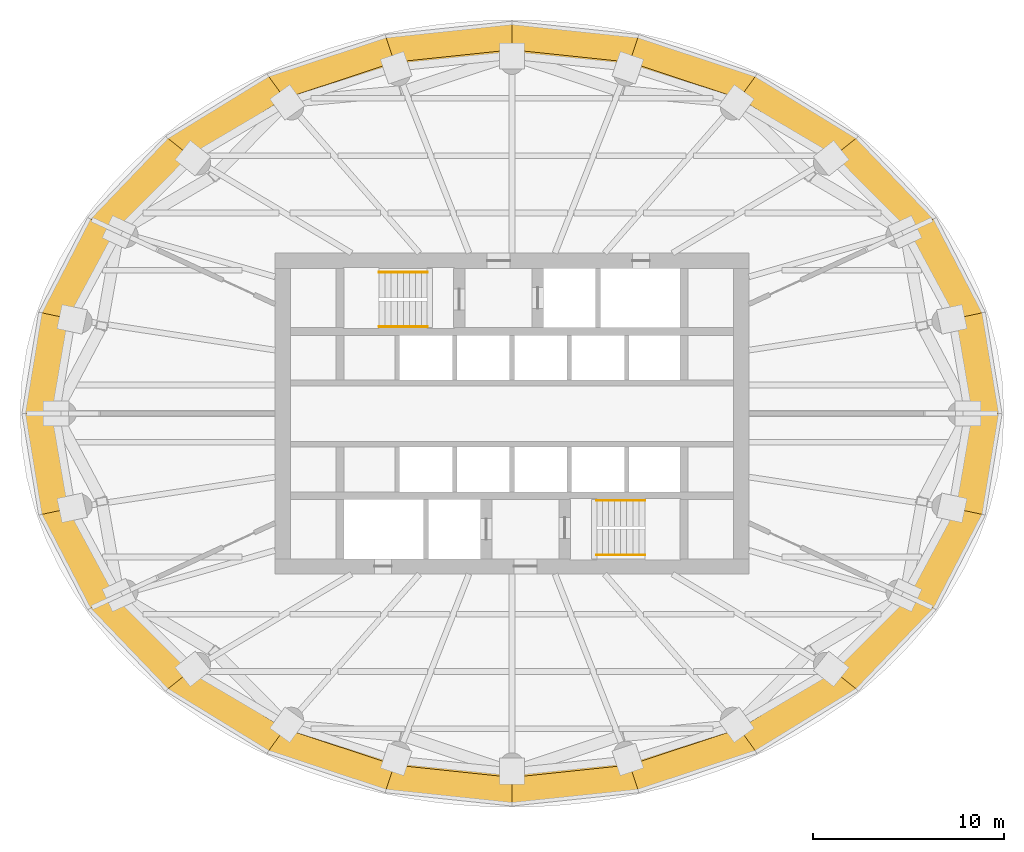
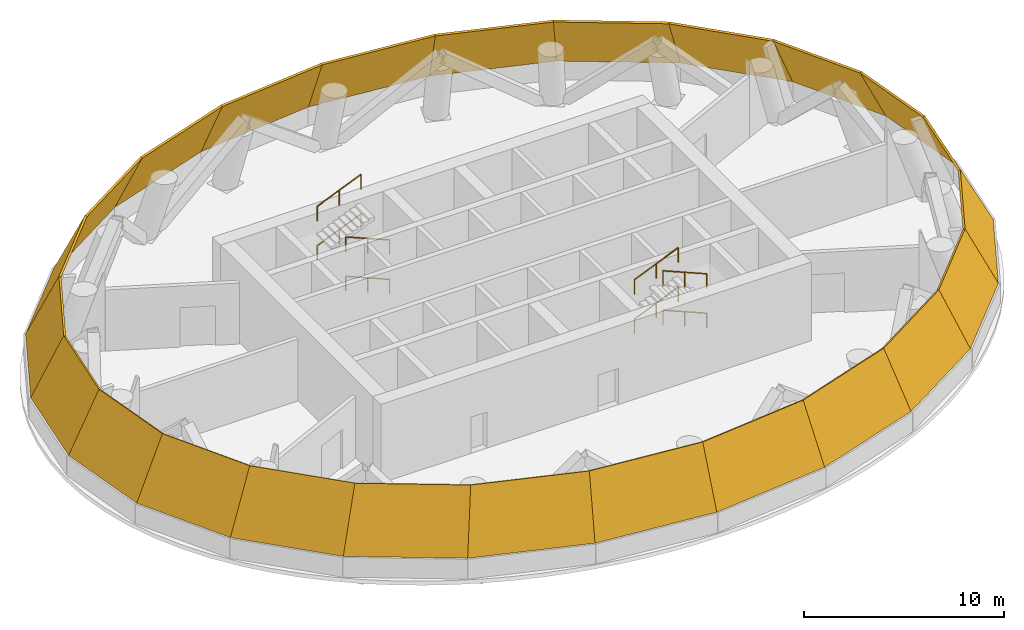
# One storey, part 7 of 7: 24 shading devices, 8 railings.
"""IFC4 building model written with IfcOpenShell, lengths in metres."""

from ifc_helpers import new_model, si_unit, direction, frame, origin, origin_2d, place, context, subcontext, project, spatial, polyline, circle, outline, extrude, material, layer, layer_set, type_object, element, save


model = new_model("IFC4")

# Units and contexts
model_context = context("Model", 3, precision=1e-05, world=origin(), true_north=direction((0.0, 1.0)))
body_context = subcontext(model_context, "Body", "Model", "MODEL_VIEW")
ifc_project = project(units=[si_unit("LENGTHUNIT", "METRE"), si_unit("AREAUNIT", "SQUARE_METRE"), si_unit("VOLUMEUNIT", "CUBIC_METRE"), si_unit("PLANEANGLEUNIT", "RADIAN"), si_unit("MASSUNIT", "GRAM", prefix="KILO")], contexts=[model_context])

# Site, building, storey
site_placement = place(None, origin())
site = spatial("IfcSite", under=ifc_project, at=site_placement, CompositionType="ELEMENT")
building_placement = place(site_placement, origin())
building = spatial("IfcBuilding", under=site, at=building_placement, Name="Hankou Lantern Tower", CompositionType="ELEMENT")
storey_placement = place(building_placement, frame((0.0, 0.0, 138.60009765625)))
storey = spatial("IfcBuildingStorey", under=building, at=storey_placement, Name="L36", CompositionType="ELEMENT", Elevation=138.60009765625)

# Railings
ifc_material_1 = material(Name="Steel handrail", Category="steel")
railing_type = type_object("IfcRailingType", Name="HR1 STAIR HANDRAIL", PredefinedType="HANDRAIL", material=ifc_material_1)
railing_1_placement = place(storey_placement, frame((-4.429931640625, 4.550048828125, 0.89990234375)))
element("IfcRailing", 1, at=railing_1_placement, inside=storey, type_object=railing_type, Name="Handrail stair STA L36 flight 1", PredefinedType="HANDRAIL", context=body_context, shape_type="SweptSolid", body=[
    extrude(circle(Radius=0.02392578125, at=origin_2d()), frame((0.0, 0.0, 0.8759765625), z_axis=(-0.920903207994, 0.0, 0.389791330723), x_axis=(0.0, -1.0, 0.0)), (0.0, 0.0, 1.0), 2.736572265625),
    extrude(circle(Radius=0.02099609375, at=origin_2d()), origin(), (0.0, 0.0, 1.0), 0.851806640625),
    extrude(circle(Radius=0.02099609375, at=origin_2d()), frame((-1.260009765625, 0.0, 0.533203125)), (0.0, 0.0, 1.0), 0.851806640625),
    extrude(circle(Radius=0.02099609375, at=origin_2d()), frame((-2.52001953125, 0.0, 1.066650390625)), (0.0, 0.0, 1.0), 0.851806640625),
])
railing_2_placement = place(storey_placement, frame((-6.949951171875, 7.39990234375, 2.099853515625)))
element("IfcRailing", 2, at=railing_2_placement, inside=storey, type_object=railing_type, Name="Handrail stair STA L36 flight 2", PredefinedType="HANDRAIL", context=body_context, shape_type="SweptSolid", body=[
    extrude(circle(Radius=0.02392578125, at=origin_2d()), frame((0.0, 0.0, 0.8759765625), z_axis=(0.920903207994, 0.0, 0.389791330723), x_axis=(0.0, 1.0, 0.0)), (0.0, 0.0, 1.0), 2.736572265625),
    extrude(circle(Radius=0.02099609375, at=origin_2d()), origin(), (0.0, 0.0, 1.0), 0.851806640625),
    extrude(circle(Radius=0.02099609375, at=origin_2d()), frame((1.260009765625, 0.0, 0.533203125)), (0.0, 0.0, 1.0), 0.851806640625),
    extrude(circle(Radius=0.02099609375, at=origin_2d()), frame((2.52001953125, 0.0, 1.066650390625)), (0.0, 0.0, 1.0), 0.851806640625),
])
railing_3_placement = place(storey_placement, frame((-4.429931640625, 4.550048828125, 3.2998046875)))
element("IfcRailing", 3, at=railing_3_placement, inside=storey, type_object=railing_type, Name="Handrail stair STA L36 flight 3", PredefinedType="HANDRAIL", context=body_context, shape_type="SweptSolid", body=[
    extrude(circle(Radius=0.02392578125, at=origin_2d()), frame((0.0, 0.0, 0.8759765625), z_axis=(-0.920903207994, 0.0, 0.389791330723), x_axis=(0.0, -1.0, 0.0)), (0.0, 0.0, 1.0), 2.736572265625),
    extrude(circle(Radius=0.02099609375, at=origin_2d()), origin(), (0.0, 0.0, 1.0), 0.851806640625),
    extrude(circle(Radius=0.02099609375, at=origin_2d()), frame((-1.260009765625, 0.0, 0.533203125)), (0.0, 0.0, 1.0), 0.851806640625),
    extrude(circle(Radius=0.02099609375, at=origin_2d()), frame((-2.52001953125, 0.0, 1.066650390625)), (0.0, 0.0, 1.0), 0.851806640625),
])
for number, where, name in (
    (4, (-6.949951171875, 7.39990234375, 4.5), "Handrail stair STA L36 flight 4"),
    (5, (4.429931640625, -4.550048828125, 0.89990234375), "Handrail stair STB L36 flight 1"),
):
    element("IfcRailing", number, at=place(storey_placement, frame(where)), inside=storey, type_object=railing_type, Name=name, PredefinedType="HANDRAIL", context=body_context, shape_type="SweptSolid", body=[
        extrude(circle(Radius=0.02392578125, at=origin_2d()), frame((0.0, 0.0, 0.8759765625), z_axis=(0.920903207994, 0.0, 0.389791330723), x_axis=(0.0, 1.0, 0.0)), (0.0, 0.0, 1.0), 2.736572265625),
        extrude(circle(Radius=0.02099609375, at=origin_2d()), origin(), (0.0, 0.0, 1.0), 0.851806640625),
        extrude(circle(Radius=0.02099609375, at=origin_2d()), frame((1.260009765625, 0.0, 0.533203125)), (0.0, 0.0, 1.0), 0.851806640625),
        extrude(circle(Radius=0.02099609375, at=origin_2d()), frame((2.52001953125, 0.0, 1.066650390625)), (0.0, 0.0, 1.0), 0.851806640625),
    ])
railing_4_placement = place(storey_placement, frame((6.949951171875, -7.39990234375, 2.099853515625)))
element("IfcRailing", 6, at=railing_4_placement, inside=storey, type_object=railing_type, Name="Handrail stair STB L36 flight 2", PredefinedType="HANDRAIL", context=body_context, shape_type="SweptSolid", body=[
    extrude(circle(Radius=0.02392578125, at=origin_2d()), frame((0.0, 0.0, 0.8759765625), z_axis=(-0.920903207994, 0.0, 0.389791330723), x_axis=(0.0, -1.0, 0.0)), (0.0, 0.0, 1.0), 2.736572265625),
    extrude(circle(Radius=0.02099609375, at=origin_2d()), origin(), (0.0, 0.0, 1.0), 0.851806640625),
    extrude(circle(Radius=0.02099609375, at=origin_2d()), frame((-1.260009765625, 0.0, 0.533203125)), (0.0, 0.0, 1.0), 0.851806640625),
    extrude(circle(Radius=0.02099609375, at=origin_2d()), frame((-2.52001953125, 0.0, 1.066650390625)), (0.0, 0.0, 1.0), 0.851806640625),
])
railing_5_placement = place(storey_placement, frame((4.429931640625, -4.550048828125, 3.2998046875)))
element("IfcRailing", 7, at=railing_5_placement, inside=storey, type_object=railing_type, Name="Handrail stair STB L36 flight 3", PredefinedType="HANDRAIL", context=body_context, shape_type="SweptSolid", body=[
    extrude(circle(Radius=0.02392578125, at=origin_2d()), frame((0.0, 0.0, 0.8759765625), z_axis=(0.920903207994, 0.0, 0.389791330723), x_axis=(0.0, 1.0, 0.0)), (0.0, 0.0, 1.0), 2.736572265625),
    extrude(circle(Radius=0.02099609375, at=origin_2d()), origin(), (0.0, 0.0, 1.0), 0.851806640625),
    extrude(circle(Radius=0.02099609375, at=origin_2d()), frame((1.260009765625, 0.0, 0.533203125)), (0.0, 0.0, 1.0), 0.851806640625),
    extrude(circle(Radius=0.02099609375, at=origin_2d()), frame((2.52001953125, 0.0, 1.066650390625)), (0.0, 0.0, 1.0), 0.851806640625),
])
railing_6_placement = place(storey_placement, frame((6.949951171875, -7.39990234375, 4.5)))
element("IfcRailing", 8, at=railing_6_placement, inside=storey, type_object=railing_type, Name="Handrail stair STB L36 flight 4", PredefinedType="HANDRAIL", context=body_context, shape_type="SweptSolid", body=[
    extrude(circle(Radius=0.02392578125, at=origin_2d()), frame((0.0, 0.0, 0.8759765625), z_axis=(-0.920903207994, 0.0, 0.389791330723), x_axis=(0.0, -1.0, 0.0)), (0.0, 0.0, 1.0), 2.736572265625),
    extrude(circle(Radius=0.02099609375, at=origin_2d()), origin(), (0.0, 0.0, 1.0), 0.851806640625),
    extrude(circle(Radius=0.02099609375, at=origin_2d()), frame((-1.260009765625, 0.0, 0.533203125)), (0.0, 0.0, 1.0), 0.851806640625),
    extrude(circle(Radius=0.02099609375, at=origin_2d()), frame((-2.52001953125, 0.0, 1.066650390625)), (0.0, 0.0, 1.0), 0.851806640625),
])

# Shading devices
ifc_material_2 = material(Name="Aluminium, black anodised", Category="aluminium")
ifc_layer = layer(ifc_material_2, 0.1201171875)
ifc_layer_set = layer_set([ifc_layer], Name="Aluminium, black anodised")
shading_device_type = type_object("IfcShadingDeviceType", Name="LV2 EAVE LOUVRE PANEL", PredefinedType="USERDEFINED", material=ifc_layer_set)
shading_device_1_placement = place(storey_placement, frame((25.550048828125, 0.0, 1.199951171875), z_axis=(0.880813940497, 0.144957385725, 0.450726256778), x_axis=(-0.162386710053, 0.986727194514, -2.033551e-06)))
element("IfcShadingDevice", 9, at=shading_device_1_placement, inside=storey, type_object=shading_device_type, Name="Eave louvre R01 L36", ObjectType="EAVE LOUVRE", PredefinedType="USERDEFINED", context=body_context, shape_type="SweptSolid", body=[
    extrude(outline(polyline([(0.0, 0.0), (5.361441061030028, 5.551115123125783e-17), (5.2784415341175315, 3.8311609107444857), (0.2841697880074567, 3.8311373196613814), (0.0, 0.0)])), origin(), (0.0, 0.0, -1.0), 0.1201171875),
])
shading_device_2_placement = place(storey_placement, frame((24.679443359375, 5.290283203125, 1.199951171875), z_axis=(0.798173607823, 0.41327960402, 0.43831365559), x_axis=(-0.459801039485, 0.88802196149, -7.07346e-07)))
element("IfcShadingDevice", 10, at=shading_device_2_placement, inside=storey, type_object=shading_device_type, Name="Eave louvre R02 L36", ObjectType="EAVE LOUVRE", PredefinedType="USERDEFINED", context=body_context, shape_type="SweptSolid", body=[
    extrude(outline(polyline([(0.0, 0.0), (5.551308426322189, 1.1102230246251565e-16), (5.626619945129172, 3.8048974479994113), (0.4555243891711223, 3.8048890097950765), (0.0, 0.0)])), origin(), (0.0, 0.0, -1.0), 0.1201171875),
])
shading_device_3_placement = place(storey_placement, frame((22.126953125, 10.219970703125, 1.199951171875), z_axis=(0.655280370049, 0.628495501227, 0.419047779574), x_axis=(-0.692202128997, 0.721703687537, -2.514267e-06)))
element("IfcShadingDevice", 11, at=shading_device_3_placement, inside=storey, type_object=shading_device_type, Name="Eave louvre R03 L36", ObjectType="EAVE LOUVRE", PredefinedType="USERDEFINED", context=body_context, shape_type="SweptSolid", body=[
    extrude(outline(polyline([(0.0, 0.0), (5.8658094602673465, -2.220446049250313e-16), (6.007955192463664, 3.7665989946946383), (0.5439529113277932, 3.766567621025416), (0.0, 0.0)])), origin(), (0.0, 0.0, -1.0), 0.1201171875),
])
shading_device_4_placement = place(storey_placement, frame((18.066650390625, 14.453369140625, 1.199951171875), z_axis=(0.479534358424, 0.781216667267, 0.399684022542), x_axis=(-0.852248443803, 0.52313725735, -2.837223e-06)))
element("IfcShadingDevice", 12, at=shading_device_4_placement, inside=storey, type_object=shading_device_type, Name="Eave louvre R04 L36", ObjectType="EAVE LOUVRE", PredefinedType="USERDEFINED", context=body_context, shape_type="SweptSolid", body=[
    extrude(outline(polyline([(0.0, 0.0), (6.209186090934359, 0.0), (6.320513220208692, 3.730899140356829), (0.5367885838032251, 3.7308620199105054), (0.0, 0.0)])), origin(), (0.0, 0.0, -1.0), 0.1201171875),
])
shading_device_5_placement = place(storey_placement, frame((12.77490234375, 17.70166015625, 1.199951171875), z_axis=(0.290306222346, 0.876112334135, 0.384901903404), x_axis=(-0.949245278657, 0.314536803751, 5.813486e-06)))
element("IfcShadingDevice", 13, at=shading_device_5_placement, inside=storey, type_object=shading_device_type, Name="Eave louvre R05 L36", ObjectType="EAVE LOUVRE", PredefinedType="USERDEFINED", context=body_context, shape_type="SweptSolid", body=[
    extrude(outline(polyline([(0.0, 0.0), (6.491558135514732, 1.1102230246251565e-16), (6.496126512284942, 3.7053538805276185), (0.44918755121924636, 3.7054328574927586), (0.0, 0.0)])), origin(), (0.0, 0.0, -1.0), 0.1201171875),
])
shading_device_6_placement = place(storey_placement, frame((6.61279296875, 19.743408203125, 1.199951171875), z_axis=(0.097026942545, 0.921095727294, 0.377052295553), x_axis=(-0.994497747814, 0.104757957152, 2.570214e-06)))
element("IfcShadingDevice", 14, at=shading_device_6_placement, inside=storey, type_object=shading_device_type, Name="Eave louvre R06 L36", ObjectType="EAVE LOUVRE", PredefinedType="USERDEFINED", context=body_context, shape_type="SweptSolid", body=[
    extrude(outline(polyline([(0.0, 0.0), (6.649375109628765, -5.551115123125783e-17), (6.502732989816944, 3.6924366331438776), (0.3087341311254957, 3.692472273943894), (0.0, 0.0)])), origin(), (0.0, 0.0, -1.0), 0.1201171875),
])
shading_device_7_placement = place(storey_placement, frame((0.0, 20.43994140625, 1.199951171875), z_axis=(-0.097026942545, 0.921095727294, 0.377052295553), x_axis=(-0.994497747814, -0.104757957152, -2.570214e-06)))
element("IfcShadingDevice", 15, at=shading_device_7_placement, inside=storey, type_object=shading_device_type, Name="Eave louvre R07 L36", ObjectType="EAVE LOUVRE", PredefinedType="USERDEFINED", context=body_context, shape_type="SweptSolid", body=[
    extrude(outline(polyline([(0.0, 0.0), (6.649375109628765, 5.551115123125783e-17), (6.340640978503269, 3.692472273943894), (0.1466421198118215, 3.6924366331438776), (0.0, 0.0)])), origin(), (0.0, 0.0, -1.0), 0.1201171875),
])
shading_device_8_placement = place(storey_placement, frame((-6.61279296875, 19.743408203125, 1.199951171875), z_axis=(-0.290306222346, 0.876112334135, 0.384901903404), x_axis=(-0.949245278657, -0.314536803751, -5.813486e-06)))
element("IfcShadingDevice", 16, at=shading_device_8_placement, inside=storey, type_object=shading_device_type, Name="Eave louvre R08 L36", ObjectType="EAVE LOUVRE", PredefinedType="USERDEFINED", context=body_context, shape_type="SweptSolid", body=[
    extrude(outline(polyline([(0.0, 0.0), (6.491558135514732, -1.1102230246251565e-16), (6.042370584295485, 3.705432857492758), (-0.0045683767702096745, 3.7053538805276185), (0.0, 0.0)])), origin(), (0.0, 0.0, -1.0), 0.1201171875),
])
shading_device_9_placement = place(storey_placement, frame((-12.77490234375, 17.70166015625, 1.199951171875), z_axis=(-0.479534358424, 0.781216667267, 0.399684022542), x_axis=(-0.852248443803, -0.52313725735, 2.837223e-06)))
element("IfcShadingDevice", 17, at=shading_device_9_placement, inside=storey, type_object=shading_device_type, Name="Eave louvre R09 L36", ObjectType="EAVE LOUVRE", PredefinedType="USERDEFINED", context=body_context, shape_type="SweptSolid", body=[
    extrude(outline(polyline([(0.0, 0.0), (6.209186090934359, 0.0), (5.672397507131133, 3.7308620199105054), (-0.11132712927433427, 3.730899140356829), (0.0, 0.0)])), origin(), (0.0, 0.0, -1.0), 0.1201171875),
])
shading_device_10_placement = place(storey_placement, frame((-18.066650390625, 14.453369140625, 1.199951171875), z_axis=(-0.655280370049, 0.628495501227, 0.419047779574), x_axis=(-0.692202128997, -0.721703687537, 2.514267e-06)))
element("IfcShadingDevice", 18, at=shading_device_10_placement, inside=storey, type_object=shading_device_type, Name="Eave louvre R10 L36", ObjectType="EAVE LOUVRE", PredefinedType="USERDEFINED", context=body_context, shape_type="SweptSolid", body=[
    extrude(outline(polyline([(0.0, 0.0), (5.8658094602673465, 2.220446049250313e-16), (5.321856548939553, 3.766567621025416), (-0.14214573219631782, 3.7665989946946383), (0.0, 0.0)])), origin(), (0.0, 0.0, -1.0), 0.1201171875),
])
shading_device_11_placement = place(storey_placement, frame((-22.126953125, 10.219970703125, 1.199951171875), z_axis=(-0.798173607823, 0.41327960402, 0.43831365559), x_axis=(-0.459801039485, -0.88802196149, 7.07346e-07)))
element("IfcShadingDevice", 19, at=shading_device_11_placement, inside=storey, type_object=shading_device_type, Name="Eave louvre R11 L36", ObjectType="EAVE LOUVRE", PredefinedType="USERDEFINED", context=body_context, shape_type="SweptSolid", body=[
    extrude(outline(polyline([(0.0, 0.0), (5.551308426322189, -1.1102230246251565e-16), (5.095784037151067, 3.804889009795076), (-0.07531151880698306, 3.8048974479994113), (0.0, 0.0)])), origin(), (0.0, 0.0, -1.0), 0.1201171875),
])
shading_device_12_placement = place(storey_placement, frame((-24.679443359375, 5.290283203125, 1.199951171875), z_axis=(-0.880813940497, 0.144957385725, 0.450726256778), x_axis=(-0.162386710053, -0.986727194514, 2.033551e-06)))
element("IfcShadingDevice", 20, at=shading_device_12_placement, inside=storey, type_object=shading_device_type, Name="Eave louvre R12 L36", ObjectType="EAVE LOUVRE", PredefinedType="USERDEFINED", context=body_context, shape_type="SweptSolid", body=[
    extrude(outline(polyline([(0.0, 0.0), (5.361441061030028, -5.551115123125783e-17), (5.077271273022571, 3.831137319661381), (0.0829995269124964, 3.8311609107444857), (0.0, 0.0)])), origin(), (0.0, 0.0, -1.0), 0.1201171875),
])
shading_device_13_placement = place(storey_placement, frame((-25.550048828125, 0.0, 1.199951171875), z_axis=(-0.880813940497, -0.144957385725, 0.450726256778), x_axis=(0.162386710053, -0.986727194514, -2.033551e-06)))
element("IfcShadingDevice", 21, at=shading_device_13_placement, inside=storey, type_object=shading_device_type, Name="Eave louvre R13 L36", ObjectType="EAVE LOUVRE", PredefinedType="USERDEFINED", context=body_context, shape_type="SweptSolid", body=[
    extrude(outline(polyline([(0.0, 0.0), (5.361441061030028, 5.551115123125783e-17), (5.2784415341175315, 3.8311609107444857), (0.2841697880074567, 3.8311373196613814), (0.0, 0.0)])), origin(), (0.0, 0.0, -1.0), 0.1201171875),
])
shading_device_14_placement = place(storey_placement, frame((-24.679443359375, -5.290283203125, 1.199951171875), z_axis=(-0.798173607823, -0.41327960402, 0.43831365559), x_axis=(0.459801039485, -0.88802196149, -7.07346e-07)))
element("IfcShadingDevice", 22, at=shading_device_14_placement, inside=storey, type_object=shading_device_type, Name="Eave louvre R14 L36", ObjectType="EAVE LOUVRE", PredefinedType="USERDEFINED", context=body_context, shape_type="SweptSolid", body=[
    extrude(outline(polyline([(0.0, 0.0), (5.551308426322189, 1.1102230246251565e-16), (5.626619945129172, 3.8048974479994113), (0.4555243891711223, 3.8048890097950765), (0.0, 0.0)])), origin(), (0.0, 0.0, -1.0), 0.1201171875),
])
shading_device_15_placement = place(storey_placement, frame((-22.126953125, -10.219970703125, 1.199951171875), z_axis=(-0.655280370049, -0.628495501227, 0.419047779574), x_axis=(0.692202128997, -0.721703687537, -2.514267e-06)))
element("IfcShadingDevice", 23, at=shading_device_15_placement, inside=storey, type_object=shading_device_type, Name="Eave louvre R15 L36", ObjectType="EAVE LOUVRE", PredefinedType="USERDEFINED", context=body_context, shape_type="SweptSolid", body=[
    extrude(outline(polyline([(0.0, 0.0), (5.8658094602673465, -2.220446049250313e-16), (6.007955192463664, 3.7665989946946383), (0.5439529113277932, 3.766567621025416), (0.0, 0.0)])), origin(), (0.0, 0.0, -1.0), 0.1201171875),
])
shading_device_16_placement = place(storey_placement, frame((-18.066650390625, -14.453369140625, 1.199951171875), z_axis=(-0.479534358424, -0.781216667267, 0.399684022542), x_axis=(0.852248443803, -0.52313725735, -2.837223e-06)))
element("IfcShadingDevice", 24, at=shading_device_16_placement, inside=storey, type_object=shading_device_type, Name="Eave louvre R16 L36", ObjectType="EAVE LOUVRE", PredefinedType="USERDEFINED", context=body_context, shape_type="SweptSolid", body=[
    extrude(outline(polyline([(0.0, 0.0), (6.209186090934359, 0.0), (6.320513220208692, 3.730899140356829), (0.5367885838032251, 3.7308620199105054), (0.0, 0.0)])), origin(), (0.0, 0.0, -1.0), 0.1201171875),
])
shading_device_17_placement = place(storey_placement, frame((-12.77490234375, -17.70166015625, 1.199951171875), z_axis=(-0.290306222346, -0.876112334135, 0.384901903404), x_axis=(0.949245278657, -0.314536803751, 5.813486e-06)))
element("IfcShadingDevice", 25, at=shading_device_17_placement, inside=storey, type_object=shading_device_type, Name="Eave louvre R17 L36", ObjectType="EAVE LOUVRE", PredefinedType="USERDEFINED", context=body_context, shape_type="SweptSolid", body=[
    extrude(outline(polyline([(0.0, 0.0), (6.491558135514732, 1.1102230246251565e-16), (6.496126512284942, 3.7053538805276185), (0.44918755121924636, 3.7054328574927586), (0.0, 0.0)])), origin(), (0.0, 0.0, -1.0), 0.1201171875),
])
shading_device_18_placement = place(storey_placement, frame((-6.61279296875, -19.743408203125, 1.199951171875), z_axis=(-0.097026942545, -0.921095727294, 0.377052295553), x_axis=(0.994497747814, -0.104757957152, 2.570214e-06)))
element("IfcShadingDevice", 26, at=shading_device_18_placement, inside=storey, type_object=shading_device_type, Name="Eave louvre R18 L36", ObjectType="EAVE LOUVRE", PredefinedType="USERDEFINED", context=body_context, shape_type="SweptSolid", body=[
    extrude(outline(polyline([(0.0, 0.0), (6.649375109628765, -5.551115123125783e-17), (6.502732989816944, 3.6924366331438776), (0.3087341311254957, 3.692472273943894), (0.0, 0.0)])), origin(), (0.0, 0.0, -1.0), 0.1201171875),
])
shading_device_19_placement = place(storey_placement, frame((0.0, -20.43994140625, 1.199951171875), z_axis=(0.097026942545, -0.921095727294, 0.377052295553), x_axis=(0.994497747814, 0.104757957152, -2.570214e-06)))
element("IfcShadingDevice", 27, at=shading_device_19_placement, inside=storey, type_object=shading_device_type, Name="Eave louvre R19 L36", ObjectType="EAVE LOUVRE", PredefinedType="USERDEFINED", context=body_context, shape_type="SweptSolid", body=[
    extrude(outline(polyline([(0.0, 0.0), (6.649375109628765, 5.551115123125783e-17), (6.340640978503269, 3.692472273943894), (0.1466421198118215, 3.6924366331438776), (0.0, 0.0)])), origin(), (0.0, 0.0, -1.0), 0.1201171875),
])
shading_device_20_placement = place(storey_placement, frame((6.61279296875, -19.743408203125, 1.199951171875), z_axis=(0.290306222346, -0.876112334135, 0.384901903404), x_axis=(0.949245278657, 0.314536803751, -5.813486e-06)))
element("IfcShadingDevice", 28, at=shading_device_20_placement, inside=storey, type_object=shading_device_type, Name="Eave louvre R20 L36", ObjectType="EAVE LOUVRE", PredefinedType="USERDEFINED", context=body_context, shape_type="SweptSolid", body=[
    extrude(outline(polyline([(0.0, 0.0), (6.491558135514732, -1.1102230246251565e-16), (6.042370584295485, 3.705432857492758), (-0.0045683767702096745, 3.7053538805276185), (0.0, 0.0)])), origin(), (0.0, 0.0, -1.0), 0.1201171875),
])
shading_device_21_placement = place(storey_placement, frame((12.77490234375, -17.70166015625, 1.199951171875), z_axis=(0.479534358424, -0.781216667267, 0.399684022542), x_axis=(0.852248443803, 0.52313725735, 2.837223e-06)))
element("IfcShadingDevice", 29, at=shading_device_21_placement, inside=storey, type_object=shading_device_type, Name="Eave louvre R21 L36", ObjectType="EAVE LOUVRE", PredefinedType="USERDEFINED", context=body_context, shape_type="SweptSolid", body=[
    extrude(outline(polyline([(0.0, 0.0), (6.209186090934359, 0.0), (5.672397507131133, 3.7308620199105054), (-0.11132712927433427, 3.730899140356829), (0.0, 0.0)])), origin(), (0.0, 0.0, -1.0), 0.1201171875),
])
shading_device_22_placement = place(storey_placement, frame((18.066650390625, -14.453369140625, 1.199951171875), z_axis=(0.655280370049, -0.628495501227, 0.419047779574), x_axis=(0.692202128997, 0.721703687537, 2.514267e-06)))
element("IfcShadingDevice", 30, at=shading_device_22_placement, inside=storey, type_object=shading_device_type, Name="Eave louvre R22 L36", ObjectType="EAVE LOUVRE", PredefinedType="USERDEFINED", context=body_context, shape_type="SweptSolid", body=[
    extrude(outline(polyline([(0.0, 0.0), (5.8658094602673465, 2.220446049250313e-16), (5.321856548939553, 3.766567621025416), (-0.14214573219631782, 3.7665989946946383), (0.0, 0.0)])), origin(), (0.0, 0.0, -1.0), 0.1201171875),
])
shading_device_23_placement = place(storey_placement, frame((22.126953125, -10.219970703125, 1.199951171875), z_axis=(0.798173607823, -0.41327960402, 0.43831365559), x_axis=(0.459801039485, 0.88802196149, 7.07346e-07)))
element("IfcShadingDevice", 31, at=shading_device_23_placement, inside=storey, type_object=shading_device_type, Name="Eave louvre R23 L36", ObjectType="EAVE LOUVRE", PredefinedType="USERDEFINED", context=body_context, shape_type="SweptSolid", body=[
    extrude(outline(polyline([(0.0, 0.0), (5.551308426322189, -1.1102230246251565e-16), (5.095784037151067, 3.804889009795076), (-0.07531151880698306, 3.8048974479994113), (0.0, 0.0)])), origin(), (0.0, 0.0, -1.0), 0.1201171875),
])
shading_device_24_placement = place(storey_placement, frame((24.679443359375, -5.290283203125, 1.199951171875), z_axis=(0.880813940497, -0.144957385725, 0.450726256778), x_axis=(0.162386710053, 0.986727194514, 2.033551e-06)))
element("IfcShadingDevice", 32, at=shading_device_24_placement, inside=storey, type_object=shading_device_type, Name="Eave louvre R24 L36", ObjectType="EAVE LOUVRE", PredefinedType="USERDEFINED", context=body_context, shape_type="SweptSolid", body=[
    extrude(outline(polyline([(0.0, 0.0), (5.361441061030028, -5.551115123125783e-17), (5.077271273022571, 3.831137319661381), (0.0829995269124964, 3.8311609107444857), (0.0, 0.0)])), origin(), (0.0, 0.0, -1.0), 0.1201171875),
])

save(model, "model.ifc")
